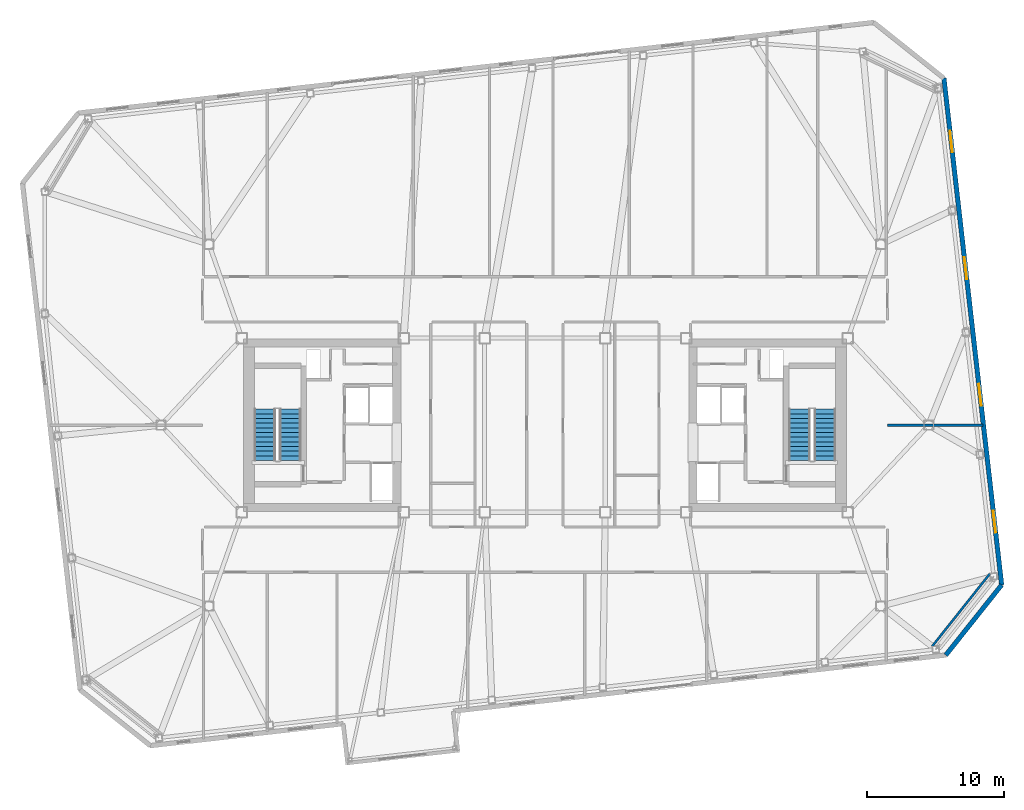
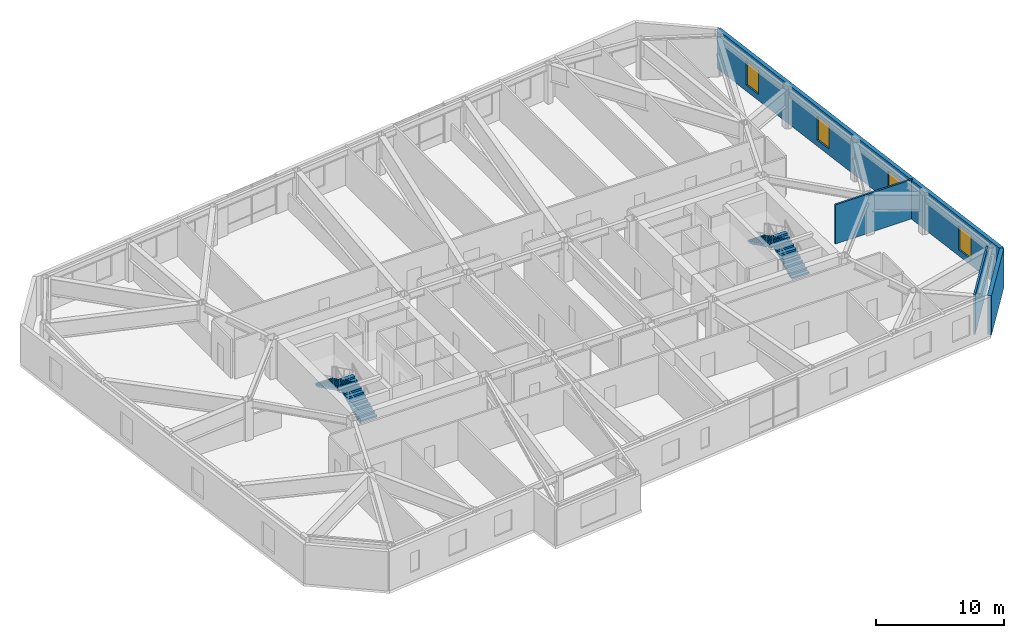
# One storey, part 15 of 18: 4 stair flights, 4 walls, 4 windows, 4 openings, 2 elements without a shape of their own.
"""IFC4 building model written with IfcOpenShell, lengths in metres."""

import ifcopenshell
import ifcopenshell.guid

model = None  # the IFC model being written
_history = None  # IfcOwnerHistory: only IFC2X3 demands one
_inside = {}  # id of a spatial element -> (the spatial element, [elements in it])
_under = {}  # id of a project, library or spatial element -> (it, [spatial elements below it])
_declared = {}  # id of a project -> (the project, [libraries it declares])
_typed = {}  # id of a type object -> (the type object, [elements of that type])
_made_of = {}  # id of a material, layer set ... -> (it, [elements and type objects made of it])


def new_model(schema):
    """Start an empty IFC model of exactly this schema.

    Asked for "IFC4X3", IfcOpenShell would pick the latest addendum, in which some entities
    have other attributes; the version numbers below select the first issue.
    IFC2X3 requires an IfcOwnerHistory on every rooted entity: one is made here for all.
    """
    global model, _history
    if schema == "IFC4X3":
        model = ifcopenshell.file(schema_version=(4, 3, 0, 0))
    else:
        model = ifcopenshell.file(schema=schema)
    _inside.clear()
    _under.clear()
    _declared.clear()
    _typed.clear()
    _made_of.clear()
    _history = None
    if model.schema == "IFC2X3":
        org = make("IfcOrganization", Name="unknown")
        user = make(
            "IfcPersonAndOrganization",
            ThePerson=make("IfcPerson", FamilyName="unknown"),
            TheOrganization=org,
        )
        app = make(
            "IfcApplication",
            ApplicationDeveloper=org,
            Version="unknown",
            ApplicationFullName="unknown",
            ApplicationIdentifier="unknown",
        )
        _history = make(
            "IfcOwnerHistory",
            OwningUser=user,
            OwningApplication=app,
            ChangeAction="ADDED",
            CreationDate=0,
        )
    return model


def make(cls, **values):
    """One entity of the class cls with the attributes given. An attribute that is None is left unset."""
    return model.create_entity(
        cls, **{name: value for name, value in values.items() if value is not None}
    )


def rooted(cls, **values):
    """An entity with a GlobalId (a new one), such as an element, a storey or a relation."""
    return make(cls, GlobalId=ifcopenshell.guid.new(), OwnerHistory=_history, **values)


def si_unit(unit_type, name, prefix=None):
    """IfcSIUnit, for example si_unit("LENGTHUNIT", "METRE", prefix="MILLI")."""
    return make("IfcSIUnit", UnitType=unit_type, Prefix=prefix, Name=name)


def assignment(units):
    """IfcUnitAssignment: the units of a project."""
    return None if units is None else make("IfcUnitAssignment", Units=units)


def point(xyz):
    """IfcCartesianPoint."""
    return None if xyz is None else make("IfcCartesianPoint", Coordinates=xyz)


def direction(xyz):
    """IfcDirection."""
    return None if xyz is None else make("IfcDirection", DirectionRatios=xyz)


def frame(location, z_axis=None, x_axis=None):
    """IfcAxis2Placement3D, a coordinate frame: its origin and axes. An axis left out is left unset."""
    return make(
        "IfcAxis2Placement3D",
        Location=point(location),
        Axis=direction(z_axis),
        RefDirection=direction(x_axis),
    )


def frame_2d(location, x_axis=None):
    """IfcAxis2Placement2D, a coordinate frame in the plane: its origin and x axis."""
    return make(
        "IfcAxis2Placement2D", Location=point(location), RefDirection=direction(x_axis)
    )


def origin():
    """The frame at (0, 0, 0) with its axes left unset."""
    return frame((0.0, 0.0, 0.0))


def place(relative_to, where):
    """IfcLocalPlacement: puts the frame where relative to a parent placement (None: the world)."""
    return make(
        "IfcLocalPlacement", PlacementRelTo=relative_to, RelativePlacement=where
    )


def context(
    kind, dimensions, precision=None, world=None, true_north=None, identifier=None
):
    """IfcGeometricRepresentationContext, for example the 3D "Model" context."""
    return make(
        "IfcGeometricRepresentationContext",
        ContextIdentifier=identifier,
        ContextType=kind,
        CoordinateSpaceDimension=dimensions,
        Precision=precision,
        WorldCoordinateSystem=world,
        TrueNorth=true_north,
    )


def subcontext(parent, identifier, kind, view, scale=None):
    """IfcGeometricRepresentationSubContext, for example "Body" below "Model"."""
    return make(
        "IfcGeometricRepresentationSubContext",
        ContextIdentifier=identifier,
        ContextType=kind,
        ParentContext=parent,
        TargetScale=scale,
        TargetView=view,
    )


def project(units=None, contexts=None):
    """IfcProject with its units and contexts."""
    return rooted(
        "IfcProject",
        Name="project",
        RepresentationContexts=contexts,
        UnitsInContext=assignment(units),
    )


def spatial(cls, under=None, at=None, **own):
    """A site, building, storey or space (cls), placed at a placement, below another one or the project."""
    s = rooted(cls, ObjectPlacement=at, **own)
    if under is not None:
        _under.setdefault(under.id(), (under, []))[1].append(s)
    return s


def polyline(points):
    """IfcPolyline through the points."""
    return make("IfcPolyline", Points=[point(p) for p in points])


def profile(cls, at=None, kind="AREA", **sizes):
    """A parametric profile (cls). Its sizes go by their IFC names, for example OverallWidth=200.0."""
    return make(cls, ProfileType=kind, Position=at, **sizes)


def rectangle(**sizes):
    """IfcRectangleProfileDef."""
    return profile("IfcRectangleProfileDef", **sizes)


def outline(outer, holes=None, kind="AREA"):
    """IfcArbitraryClosedProfileDef: a profile drawn as a closed curve; with holes, ...WithVoids."""
    if holes is None:
        return make("IfcArbitraryClosedProfileDef", ProfileType=kind, OuterCurve=outer)
    return make(
        "IfcArbitraryProfileDefWithVoids",
        ProfileType=kind,
        OuterCurve=outer,
        InnerCurves=holes,
    )


def extrude(swept, where, along, depth):
    """IfcExtrudedAreaSolid: the profile swept, set in the frame where, extruded along a direction by depth."""
    return make(
        "IfcExtrudedAreaSolid",
        SweptArea=swept,
        Position=where,
        ExtrudedDirection=direction(along),
        Depth=depth,
    )


def shape(context_of_items, identifier, shape_type, items):
    """IfcShapeRepresentation: the items that make up one representation, for example the "Body"."""
    return make(
        "IfcShapeRepresentation",
        ContextOfItems=context_of_items,
        RepresentationIdentifier=identifier,
        RepresentationType=shape_type,
        Items=items,
    )


def material(Name=None, Category=None):
    """IfcMaterial."""
    return make("IfcMaterial", Name=Name, Category=Category)


def layer(
    of_material, thickness, ventilated=None, Name=None, Category=None, Priority=None
):
    """IfcMaterialLayer: one layer of a wall or slab, of a material (None: an air gap)."""
    return make(
        "IfcMaterialLayer",
        Material=of_material,
        LayerThickness=thickness,
        IsVentilated=ventilated,
        Name=Name,
        Category=Category,
        Priority=Priority,
    )


def layer_set(layers, Name=None):
    """IfcMaterialLayerSet."""
    return make("IfcMaterialLayerSet", MaterialLayers=layers, LayerSetName=Name)


def made_of(thing, what):
    """Note that an element or type object is made of a material, layer set ...; save() writes the relation."""
    if what is not None:
        _made_of.setdefault(what.id(), (what, []))[1].append(thing)
    return thing


def type_object(cls, material=None, **own):
    """A type object (cls), such as IfcWallType, which elements share."""
    return made_of(rooted(cls, **own), material)


def element(
    cls,
    number,
    at=None,
    inside=None,
    cuts=None,
    type_object=None,
    material=None,
    context=None,
    identifier="Body",
    shape_type=None,
    held_by="IfcProductDefinitionShape",
    body=None,
    shapes=None,
    **own,
):
    """One element of the class cls, such as IfcWall. Its Tag is "e" and its number.

    at: its placement. inside: the storey or other place that contains it. cuts: it is an
    opening in that element (IfcRelVoidsElement). A single representation is given by context,
    identifier, shape_type and body (its items); several are given by shapes. held_by: the class
    of the entity that holds the representations. save() writes the other relations.
    """
    e = rooted(cls, Tag="e%d" % number, ObjectPlacement=at, **own)
    if body is not None:
        shapes = [shape(context, identifier, shape_type, body)]
    if shapes is not None:
        e.Representation = make(held_by, Representations=shapes)
    if inside is not None:
        _inside.setdefault(inside.id(), (inside, []))[1].append(e)
    if cuts is not None:
        rooted(
            "IfcRelVoidsElement", RelatingBuildingElement=cuts, RelatedOpeningElement=e
        )
    if type_object is not None:
        _typed.setdefault(type_object.id(), (type_object, []))[1].append(e)
    return made_of(e, material)


def fill(opening, filler):
    """IfcRelFillsElement: the door or window that sits in an opening."""
    return rooted(
        "IfcRelFillsElement",
        RelatingOpeningElement=opening,
        RelatedBuildingElement=filler,
    )


def aggregate(whole, parts):
    """IfcRelAggregates: a whole, such as a stair, and the parts it consists of."""
    return rooted("IfcRelAggregates", RelatingObject=whole, RelatedObjects=parts)


def save(model, path):
    """Write the relations noted so far, then the file.

    IfcRelAggregates (storeys below a building ...), IfcRelContainedInSpatialStructure (elements
    in a storey), IfcRelDefinesByType, IfcRelAssociatesMaterial and IfcRelDeclares: one each for
    every whole, place, type object, material and project.
    """
    for whole, parts in _under.values():
        aggregate(whole, parts)
    for where, things in _inside.values():
        rooted(
            "IfcRelContainedInSpatialStructure",
            RelatedElements=things,
            RelatingStructure=where,
        )
    for kind, things in _typed.values():
        rooted("IfcRelDefinesByType", RelatedObjects=things, RelatingType=kind)
    for what, things in _made_of.values():
        rooted("IfcRelAssociatesMaterial", RelatedObjects=things, RelatingMaterial=what)
    for by, libraries in _declared.values():
        rooted("IfcRelDeclares", RelatingContext=by, RelatedDefinitions=libraries)
    model.write(path)


model = new_model("IFC4")

# Units and contexts
model_context = context("Model", 3, precision=1e-05, world=origin(), true_north=direction((0.0, 1.0)))
body_context = subcontext(model_context, "Body", "Model", "MODEL_VIEW")
ifc_project = project(units=[si_unit("LENGTHUNIT", "METRE"), si_unit("AREAUNIT", "SQUARE_METRE"), si_unit("VOLUMEUNIT", "CUBIC_METRE"), si_unit("PLANEANGLEUNIT", "RADIAN"), si_unit("MASSUNIT", "GRAM", prefix="KILO")], contexts=[model_context])

# Site, building, storey
site_placement = place(None, origin())
site = spatial("IfcSite", under=ifc_project, at=site_placement, CompositionType="ELEMENT")
building_placement = place(site_placement, origin())
building = spatial("IfcBuilding", under=site, at=building_placement, Name="Tavrogorsk Clinical Tower", CompositionType="ELEMENT")
storey_placement = place(building_placement, frame((0.0, 0.0, 226.199951171875)))
storey = spatial("IfcBuildingStorey", under=building, at=storey_placement, Name="L52", CompositionType="ELEMENT", Elevation=226.199951171875)

# Walls
ifc_material_1 = material(Name="Lightweight concrete blockwork B15", Category="masonry")
ifc_layer_1 = layer(ifc_material_1, 0.159912109375)
ifc_layer_set_1 = layer_set([ifc_layer_1], Name="Lightweight concrete blockwork B15")
wall_type_1 = type_object("IfcWallType", Name="PartitionWall_160", PredefinedType="PARTITIONING", material=ifc_layer_set_1)
wall_1_placement = place(storey_placement, frame((28.242431640625, -16.1337890625, 0.0), z_axis=(0.0, 0.0, 1.0), x_axis=(0.622521563328, 0.782602647064, 0.0)))
element("IfcWall", 1, at=wall_1_placement, inside=storey, type_object=wall_type_1, Name="L52 Corner Exoskeleton Brace Furring Wall 1", PredefinedType="PARTITIONING", context=body_context, shape_type="SweptSolid", body=[
    extrude(rectangle(XDim=6.788330078125, YDim=0.159912109375, at=frame_2d((3.39404296875, 0.0))), origin(), (0.0, 0.0, 1.0), 3.739990234375),
])
wall_2_placement = place(storey_placement, frame((24.97998046875, 0.0, 0.0), z_axis=(0.0, 0.0, 1.0), x_axis=(1.0, 0.0, 0.0)))
element("IfcWall", 2, at=wall_2_placement, inside=storey, type_object=wall_type_1, Name="L52 E Wing Divider 1", PredefinedType="PARTITIONING", context=body_context, shape_type="SweptSolid", body=[
    extrude(rectangle(XDim=6.990478515625, YDim=0.159912109375, at=frame_2d((3.4951171875, 0.0))), origin(), (0.0, 0.0, 1.0), 3.739990234375),
])

# Wall, openings, windows
ifc_material_2 = material(Name="Precast concrete B45 with limestone cladding", Category="masonry")
ifc_layer_2 = layer(ifc_material_2, 0.340087890625)
ifc_layer_set_2 = layer_set([ifc_layer_2], Name="Precast concrete B45 with limestone cladding")
wall_type_2 = type_object("IfcWallType", Name="PrecastLimestoneWall_340", PredefinedType="STANDARD", material=ifc_layer_set_2)
wall_3_placement = place(storey_placement, frame((33.318115234375, -11.65087890625, 0.0), z_axis=(0.0, 0.0, 1.0), x_axis=(-0.11320360501, 0.9935718111, 0.0)))
wall_3 = element("IfcWall", 3, at=wall_3_placement, inside=storey, type_object=wall_type_2, Name="L52 E Pleated Limestone Wing Wall", PredefinedType="STANDARD", context=body_context, shape_type="SweptSolid", body=[
    extrude(rectangle(XDim=37.199951171875, YDim=0.340087890625, at=frame_2d((18.60009765625, 0.0))), origin(), (0.0, 0.0, 1.0), 3.739990234375),
])
opening_1_placement = place(wall_3_placement, frame((3.85009765625, 0.0, 0.580078125)))
opening_1 = element("IfcOpeningElement", 4, at=opening_1_placement, cuts=wall_3, Name="Opening WN-07", PredefinedType="OPENING", context=body_context, shape_type="SweptSolid", body=[
    extrude(rectangle(XDim=1.60009765625, YDim=2.300048828125, at=frame_2d((0.800048828125, 1.14990234375))), frame((0.0, 0.179931640625, 0.0), z_axis=(0.0, -1.0, 0.0), x_axis=(1.0, 0.0, 0.0)), (0.0, 0.0, 1.0), 0.360107421875),
])
opening_2_placement = place(wall_3_placement, frame((13.14990234375, 0.0, 0.580078125)))
opening_2 = element("IfcOpeningElement", 5, at=opening_2_placement, cuts=wall_3, Name="Opening WN-07", PredefinedType="OPENING", context=body_context, shape_type="SweptSolid", body=[
    extrude(rectangle(XDim=1.60009765625, YDim=2.300048828125, at=frame_2d((0.800048828125, 1.14990234375))), frame((0.0, 0.179931640625, 0.0), z_axis=(0.0, -1.0, 0.0), x_axis=(1.0, 0.0, 0.0)), (0.0, 0.0, 1.0), 0.360107421875),
])
opening_3_placement = place(wall_3_placement, frame((22.449951171875, 0.0, 0.580078125)))
opening_3 = element("IfcOpeningElement", 6, at=opening_3_placement, cuts=wall_3, Name="Opening WN-07", PredefinedType="OPENING", context=body_context, shape_type="SweptSolid", body=[
    extrude(rectangle(XDim=1.60009765625, YDim=2.300048828125, at=frame_2d((0.800048828125, 1.14990234375))), frame((0.0, 0.179931640625, 0.0), z_axis=(0.0, -1.0, 0.0), x_axis=(1.0, 0.0, 0.0)), (0.0, 0.0, 1.0), 0.360107421875),
])
opening_4_placement = place(wall_3_placement, frame((31.75, 0.0, 0.580078125)))
opening_4 = element("IfcOpeningElement", 7, at=opening_4_placement, cuts=wall_3, Name="Opening WN-07", PredefinedType="OPENING", context=body_context, shape_type="SweptSolid", body=[
    extrude(rectangle(XDim=1.60009765625, YDim=2.300048828125, at=frame_2d((0.800048828125, 1.14990234375))), frame((0.0, 0.179931640625, 0.0), z_axis=(0.0, -1.0, 0.0), x_axis=(1.0, 0.0, 0.0)), (0.0, 0.0, 1.0), 0.360107421875),
])
ifc_material_3 = material(Name="Thermally broken aluminium frame and triple IGU", Category="aluminium")
window_type = type_object("IfcWindowType", Name="PleatSlotWin_1600x2300", PartitioningType="SINGLE_PANEL", PredefinedType="WINDOW", material=ifc_material_3)
window_1_placement = place(opening_1_placement, origin())
window_1 = element("IfcWindow", 8, at=window_1_placement, inside=storey, type_object=window_type, Name="L52 E Pleat Slot Window 1", OverallHeight=2.300048828125, OverallWidth=1.60009765625, PartitioningType="SINGLE_PANEL", PredefinedType="WINDOW", context=body_context, shape_type="SweptSolid", body=[
    extrude(rectangle(XDim=1.60009765625, YDim=2.300048828125, at=frame_2d((0.800048828125, 1.14990234375))), frame((0.0, 0.030029296875, 0.0), z_axis=(0.0, -1.0, 0.0), x_axis=(1.0, 0.0, 0.0)), (0.0, 0.0, 1.0), 0.06005859375),
])
fill(opening_1, window_1)
window_2_placement = place(opening_2_placement, origin())
window_2 = element("IfcWindow", 9, at=window_2_placement, inside=storey, type_object=window_type, Name="L52 E Pleat Slot Window 2", OverallHeight=2.300048828125, OverallWidth=1.60009765625, PartitioningType="SINGLE_PANEL", PredefinedType="WINDOW", context=body_context, shape_type="SweptSolid", body=[
    extrude(rectangle(XDim=1.60009765625, YDim=2.300048828125, at=frame_2d((0.800048828125, 1.14990234375))), frame((0.0, 0.030029296875, 0.0), z_axis=(0.0, -1.0, 0.0), x_axis=(1.0, 0.0, 0.0)), (0.0, 0.0, 1.0), 0.06005859375),
])
fill(opening_2, window_2)
window_3_placement = place(opening_3_placement, origin())
window_3 = element("IfcWindow", 10, at=window_3_placement, inside=storey, type_object=window_type, Name="L52 E Pleat Slot Window 3", OverallHeight=2.300048828125, OverallWidth=1.60009765625, PartitioningType="SINGLE_PANEL", PredefinedType="WINDOW", context=body_context, shape_type="SweptSolid", body=[
    extrude(rectangle(XDim=1.60009765625, YDim=2.300048828125, at=frame_2d((0.800048828125, 1.14990234375))), frame((0.0, 0.030029296875, 0.0), z_axis=(0.0, -1.0, 0.0), x_axis=(1.0, 0.0, 0.0)), (0.0, 0.0, 1.0), 0.06005859375),
])
fill(opening_3, window_3)
window_4_placement = place(opening_4_placement, origin())
window_4 = element("IfcWindow", 11, at=window_4_placement, inside=storey, type_object=window_type, Name="L52 E Pleat Slot Window 4", OverallHeight=2.300048828125, OverallWidth=1.60009765625, PartitioningType="SINGLE_PANEL", PredefinedType="WINDOW", context=body_context, shape_type="SweptSolid", body=[
    extrude(rectangle(XDim=1.60009765625, YDim=2.300048828125, at=frame_2d((0.800048828125, 1.14990234375))), frame((0.0, 0.030029296875, 0.0), z_axis=(0.0, -1.0, 0.0), x_axis=(1.0, 0.0, 0.0)), (0.0, 0.0, 1.0), 0.06005859375),
])
fill(opening_4, window_4)

# Wall
wall_4_placement = place(storey_placement, frame((29.241943359375, -16.775146484375, 0.0), z_axis=(0.0, 0.0, 1.0), x_axis=(0.62252823689, 0.78259733853, 0.0)))
element("IfcWall", 12, at=wall_4_placement, inside=storey, type_object=wall_type_2, Name="L52 Chamfered Corner Wall 1", PredefinedType="STANDARD", context=body_context, shape_type="SweptSolid", body=[
    extrude(rectangle(XDim=6.5478515625, YDim=0.340087890625, at=frame_2d((3.27392578125, 0.0))), origin(), (0.0, 0.0, 1.0), 3.739990234375),
])

# Stair, stair flights
ifc_material_4 = material(Name="Concrete B60", Category="concrete")
stair_type = type_object("IfcStairType", Name="CoreStairAssembly", PredefinedType="HALF_TURN_STAIR", material=ifc_material_4)
stair_1_placement = place(storey_placement, origin())
stair_1 = element("IfcStair", 13, at=stair_1_placement, inside=storey, type_object=stair_type, Name="L52 ST-W", PredefinedType="HALF_TURN_STAIR")
ifc_material_5 = material(Name="Concrete B60", Category="concrete")
stair_flight_type = type_object("IfcStairFlightType", Name="CoreStairFlight", PredefinedType="STRAIGHT", material=ifc_material_5)
stair_flight_1_placement = place(storey_placement, frame((-18.574951171875, -2.574951171875, 0.0), z_axis=(0.0, 0.0, 1.0), x_axis=(0.0, 1.0, 0.0)))
stair_flight_1 = element("IfcStairFlight", 14, at=stair_flight_1_placement, type_object=stair_flight_type, Name="ST-W flight 1", NumberOfRisers=12, NumberOfTreads=11, PredefinedType="STRAIGHT", RiserHeight=0.166666667, TreadLength=0.34, context=body_context, shape_type="SweptSolid", body=[
    extrude(outline(polyline([(0.0, 0.0), (0.0, 0.166748046875), (0.340087890625, 0.166748046875), (0.340087890625, 0.333251953125), (0.679931640625, 0.333251953125), (0.679931640625, 0.5), (1.02001953125, 0.5), (1.02001953125, 0.666748046875), (1.360107421875, 0.666748046875), (1.360107421875, 0.833251953125), (1.699951171875, 0.833251953125), (1.699951171875, 1.0), (2.0400390625, 1.0), (2.0400390625, 1.166748046875), (2.3798828125, 1.166748046875), (2.3798828125, 1.333251953125), (2.719970703125, 1.333251953125), (2.719970703125, 1.5), (3.06005859375, 1.5), (3.06005859375, 1.666748046875), (3.39990234375, 1.666748046875), (3.39990234375, 1.833251953125), (3.739990234375, 1.833251953125), (3.739990234375, 2.0), (3.739990234375, 1.66650390625), (0.340576171875, 0.0), (0.0, 0.0)])), frame((0.0, 0.77490234375, 0.0), z_axis=(0.0, -1.0, 0.0), x_axis=(1.0, 0.0, 0.0)), (0.0, 0.0, 1.0), 1.550048828125),
])
stair_flight_2_placement = place(storey_placement, frame((-20.425048828125, 1.1650390625, 2.0), z_axis=(0.0, 0.0, 1.0), x_axis=(0.0, -1.0, 0.0)))
stair_flight_2 = element("IfcStairFlight", 15, at=stair_flight_2_placement, type_object=stair_flight_type, Name="ST-W flight 2", NumberOfRisers=12, NumberOfTreads=11, PredefinedType="STRAIGHT", RiserHeight=0.166666667, TreadLength=0.34, context=body_context, shape_type="SweptSolid", body=[
    extrude(outline(polyline([(0.0, 0.0), (0.0, 0.166748046875), (0.340087890625, 0.166748046875), (0.340087890625, 0.333251953125), (0.679931640625, 0.333251953125), (0.679931640625, 0.5), (1.02001953125, 0.5), (1.02001953125, 0.666748046875), (1.360107421875, 0.666748046875), (1.360107421875, 0.833251953125), (1.699951171875, 0.833251953125), (1.699951171875, 1.0), (2.0400390625, 1.0), (2.0400390625, 1.166748046875), (2.3798828125, 1.166748046875), (2.3798828125, 1.333251953125), (2.719970703125, 1.333251953125), (2.719970703125, 1.5), (3.06005859375, 1.5), (3.06005859375, 1.666748046875), (3.39990234375, 1.666748046875), (3.39990234375, 1.833251953125), (3.739990234375, 1.833251953125), (3.739990234375, 2.0), (3.739990234375, 1.66650390625), (0.340576171875, 0.0), (0.0, 0.0)])), frame((0.0, 0.77490234375, 0.0), z_axis=(0.0, -1.0, 0.0), x_axis=(1.0, 0.0, 0.0)), (0.0, 0.0, 1.0), 1.550048828125),
])
aggregate(stair_1, [stair_flight_1, stair_flight_2])

stair_2_placement = place(storey_placement, origin())
stair_2 = element("IfcStair", 16, at=stair_2_placement, inside=storey, type_object=stair_type, Name="L52 ST-E", PredefinedType="HALF_TURN_STAIR")
stair_flight_3_placement = place(storey_placement, frame((20.425048828125, -2.574951171875, 0.0), z_axis=(0.0, 0.0, 1.0), x_axis=(0.0, 1.0, 0.0)))
stair_flight_3 = element("IfcStairFlight", 17, at=stair_flight_3_placement, type_object=stair_flight_type, Name="ST-E flight 1", NumberOfRisers=12, NumberOfTreads=11, PredefinedType="STRAIGHT", RiserHeight=0.166666667, TreadLength=0.34, context=body_context, shape_type="SweptSolid", body=[
    extrude(outline(polyline([(0.0, 0.0), (0.0, 0.166748046875), (0.340087890625, 0.166748046875), (0.340087890625, 0.333251953125), (0.679931640625, 0.333251953125), (0.679931640625, 0.5), (1.02001953125, 0.5), (1.02001953125, 0.666748046875), (1.360107421875, 0.666748046875), (1.360107421875, 0.833251953125), (1.699951171875, 0.833251953125), (1.699951171875, 1.0), (2.0400390625, 1.0), (2.0400390625, 1.166748046875), (2.3798828125, 1.166748046875), (2.3798828125, 1.333251953125), (2.719970703125, 1.333251953125), (2.719970703125, 1.5), (3.06005859375, 1.5), (3.06005859375, 1.666748046875), (3.39990234375, 1.666748046875), (3.39990234375, 1.833251953125), (3.739990234375, 1.833251953125), (3.739990234375, 2.0), (3.739990234375, 1.66650390625), (0.340576171875, 0.0), (0.0, 0.0)])), frame((0.0, 0.77490234375, 0.0), z_axis=(0.0, -1.0, 0.0), x_axis=(1.0, 0.0, 0.0)), (0.0, 0.0, 1.0), 1.550048828125),
])
stair_flight_4_placement = place(storey_placement, frame((18.574951171875, 1.1650390625, 2.0), z_axis=(0.0, 0.0, 1.0), x_axis=(0.0, -1.0, 0.0)))
stair_flight_4 = element("IfcStairFlight", 18, at=stair_flight_4_placement, type_object=stair_flight_type, Name="ST-E flight 2", NumberOfRisers=12, NumberOfTreads=11, PredefinedType="STRAIGHT", RiserHeight=0.166666667, TreadLength=0.34, context=body_context, shape_type="SweptSolid", body=[
    extrude(outline(polyline([(0.0, 0.0), (0.0, 0.166748046875), (0.340087890625, 0.166748046875), (0.340087890625, 0.333251953125), (0.679931640625, 0.333251953125), (0.679931640625, 0.5), (1.02001953125, 0.5), (1.02001953125, 0.666748046875), (1.360107421875, 0.666748046875), (1.360107421875, 0.833251953125), (1.699951171875, 0.833251953125), (1.699951171875, 1.0), (2.0400390625, 1.0), (2.0400390625, 1.166748046875), (2.3798828125, 1.166748046875), (2.3798828125, 1.333251953125), (2.719970703125, 1.333251953125), (2.719970703125, 1.5), (3.06005859375, 1.5), (3.06005859375, 1.666748046875), (3.39990234375, 1.666748046875), (3.39990234375, 1.833251953125), (3.739990234375, 1.833251953125), (3.739990234375, 2.0), (3.739990234375, 1.66650390625), (0.340576171875, 0.0), (0.0, 0.0)])), frame((0.0, 0.77490234375, 0.0), z_axis=(0.0, -1.0, 0.0), x_axis=(1.0, 0.0, 0.0)), (0.0, 0.0, 1.0), 1.550048828125),
])
aggregate(stair_2, [stair_flight_3, stair_flight_4])

save(model, "model.ifc")
